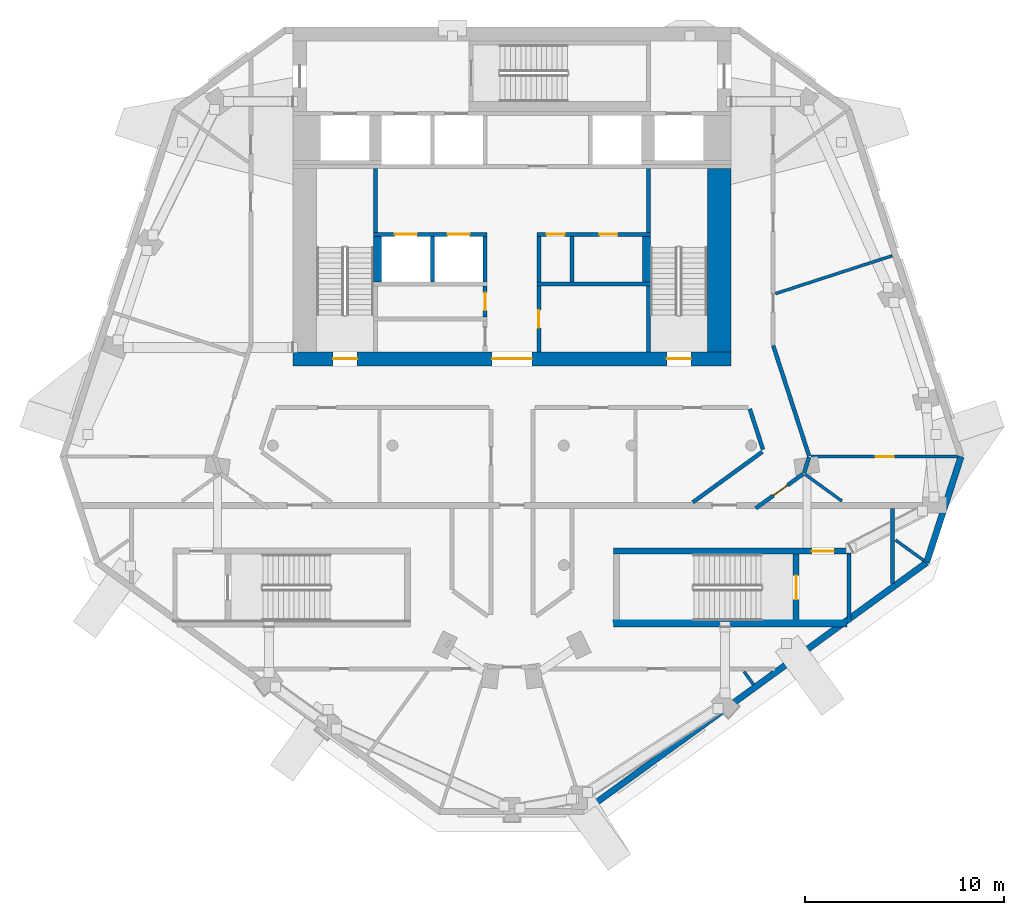
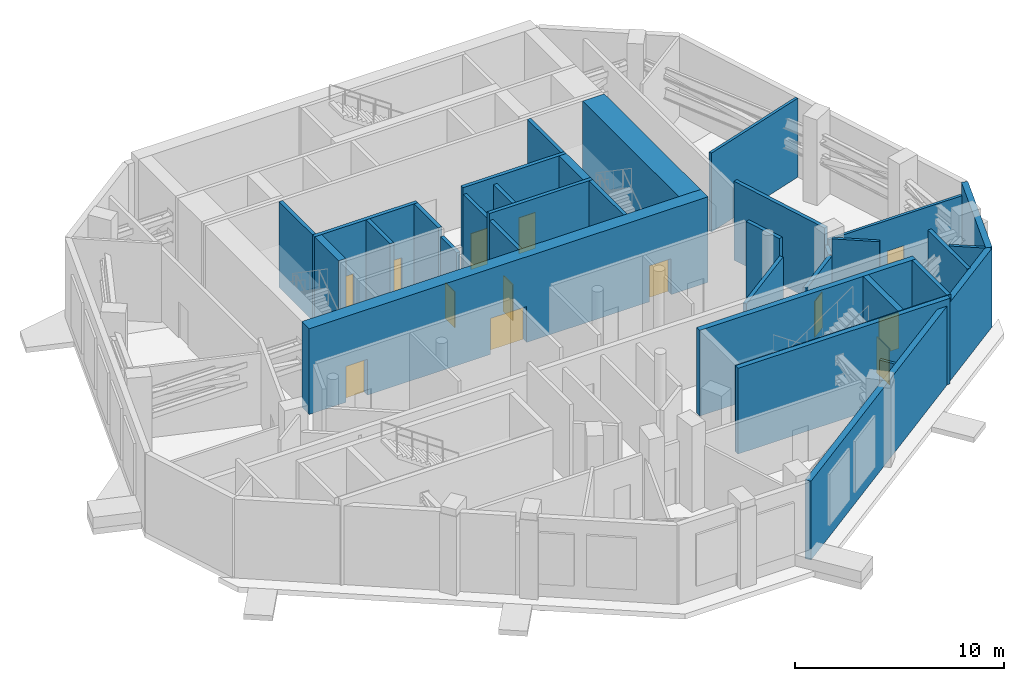
# One storey, part 8 of 15: 34 walls, 13 doors, 13 openings.
"""IFC4 building model written with IfcOpenShell, lengths in metres."""

from ifc_helpers import new_model, si_unit, direction, frame, frame_2d, origin, place, context, subcontext, project, spatial, rectangle, extrude, material, layer, layer_set, type_object, element, fill, save


model = new_model("IFC4")

# Units and contexts
model_context = context("Model", 3, precision=1e-05, world=origin(), true_north=direction((0.0, 1.0)))
body_context = subcontext(model_context, "Body", "Model", "MODEL_VIEW")
ifc_project = project(units=[si_unit("LENGTHUNIT", "METRE"), si_unit("AREAUNIT", "SQUARE_METRE"), si_unit("VOLUMEUNIT", "CUBIC_METRE"), si_unit("PLANEANGLEUNIT", "RADIAN"), si_unit("MASSUNIT", "GRAM", prefix="KILO")], contexts=[model_context])

# Site, building, storey
site_placement = place(None, origin())
site = spatial("IfcSite", under=ifc_project, at=site_placement, CompositionType="ELEMENT")
building_placement = place(site_placement, origin())
building = spatial("IfcBuilding", under=site, at=building_placement, Name="White Candle Pilgrim Tower", CompositionType="ELEMENT")
storey_placement = place(building_placement, frame((0.0, 0.0, 295.10009765625)))
storey = spatial("IfcBuildingStorey", under=building, at=storey_placement, Name="L70", CompositionType="ELEMENT", Elevation=295.10009765625)

# Walls
ifc_material_1 = material(Name="Concrete C50/60", Category="concrete")
ifc_layer_1 = layer(ifc_material_1, 0.199951171875)
ifc_layer_set_1 = layer_set([ifc_layer_1], Name="Core wall 200 mm Concrete C50/60")
wall_type_1 = type_object("IfcWallType", Name="Core wall 200 mm Concrete C50/60", PredefinedType="SHEAR", material=ifc_layer_set_1)
wall_1_placement = place(storey_placement, frame((86.89990234375, 58.199951171875, 0.0), z_axis=(0.0, 0.0, 1.0), x_axis=(0.0, 1.0, 0.0)))
element("IfcWall", 1, at=wall_1_placement, inside=storey, type_object=wall_type_1, Name="WL-L70-C10", PredefinedType="SHEAR", context=body_context, shape_type="SweptSolid", body=[
    extrude(rectangle(XDim=3.35009765625, YDim=0.199951171875, at=frame_2d((1.675048828125, 0.0))), origin(), (0.0, 0.0, 1.0), 5.0),
])
ifc_layer_2 = layer(ifc_material_1, 0.2666015625)
ifc_layer_set_2 = layer_set([ifc_layer_2], Name="Core wall 267 mm Concrete C50/60")
wall_type_2 = type_object("IfcWallType", Name="Core wall 267 mm Concrete C50/60", PredefinedType="SHEAR", material=ifc_layer_set_2)
wall_2_placement = place(storey_placement, frame((75.10009765625, 58.033203125, 0.0), z_axis=(0.0, 0.0, 1.0), x_axis=(1.0, 0.0, 0.0)))
element("IfcWall", 2, at=wall_2_placement, inside=storey, type_object=wall_type_2, Name="WL-L70-C02", PredefinedType="SHEAR", context=body_context, shape_type="SweptSolid", body=[
    extrude(rectangle(XDim=11.699951171875, YDim=0.2666015625, at=frame_2d((5.85009765625, 0.0))), origin(), (0.0, 0.0, 1.0), 5.0),
])
ifc_material_2 = material(Name="Gypsum board on steel studs", Category="steel")
ifc_layer_3 = layer(ifc_material_2, 0.199951171875)
ifc_layer_set_3 = layer_set([ifc_layer_3], Name="Corridor wall 200 mm EI 45")
wall_type_3 = type_object("IfcWallType", Name="Corridor wall 200 mm EI 45", PredefinedType="PARTITIONING", material=ifc_layer_set_3)
wall_3_placement = place(storey_placement, frame((83.10498046875, 72.0185546875, 0.0), z_axis=(0.0, 0.0, 1.0), x_axis=(0.30901978602, -0.95105560923, 0.0)))
element("IfcWall", 3, at=wall_3_placement, inside=storey, type_object=wall_type_3, Name="WL-L70-P008", PredefinedType="PARTITIONING", context=body_context, shape_type="SweptSolid", body=[
    extrude(rectangle(XDim=5.829833984375, YDim=0.199951171875, at=frame_2d((2.9150390625, 0.0))), origin(), (0.0, 0.0, 1.0), 4.599853515625),
])
wall_4_placement = place(storey_placement, frame((84.906494140625, 66.412353515625, 0.0), z_axis=(0.0, 0.0, 1.0), x_axis=(-0.309260889552, -0.950977235371, 0.0)))
element("IfcWall", 4, at=wall_4_placement, inside=storey, type_object=wall_type_3, Name="WL-L70-P009", PredefinedType="PARTITIONING", context=body_context, shape_type="SweptSolid", body=[
    extrude(rectangle(XDim=0.821044921875, YDim=0.199951171875, at=frame_2d((0.41064453125, 0.0))), origin(), (0.0, 0.0, 1.0), 3.599853515625),
])

# Wall, opening, door
wall_5_placement = place(storey_placement, frame((84.616455078125, 65.58154296875, 0.0), z_axis=(0.0, 0.0, 1.0), x_axis=(-0.809065647846, -0.587718280705, 0.0)))
wall_5 = element("IfcWall", 5, at=wall_5_placement, inside=storey, type_object=wall_type_3, Name="WL-L70-P010", PredefinedType="PARTITIONING", context=body_context, shape_type="SweptSolid", body=[
    extrude(rectangle(XDim=2.946044921875, YDim=0.199951171875, at=frame_2d((1.47314453125, 0.0))), origin(), (0.0, 0.0, 1.0), 3.599853515625),
])
opening_1_placement = place(wall_5_placement, frame((0.9658203125, 0.0, 0.0)))
opening_1 = element("IfcOpeningElement", 6, at=opening_1_placement, cuts=wall_5, Name="Opening L70-117", PredefinedType="OPENING", context=body_context, shape_type="SweptSolid", body=[
    extrude(rectangle(XDim=0.89990234375, YDim=2.10009765625, at=frame_2d((0.449951171875, 1.050048828125))), frame((0.0, 0.10986328125, 0.0), z_axis=(0.0, -1.0, 0.0), x_axis=(1.0, 0.0, 0.0)), (0.0, 0.0, 1.0), 0.219970703125),
])
ifc_material_3 = material(Name="Steel door leaf", Category="steel")
door_type_1 = type_object("IfcDoorType", Name="Fire door 900 x 2100 EI 30", OperationType="NOTDEFINED", PredefinedType="DOOR", material=ifc_material_3)
door_1_placement = place(opening_1_placement, origin())
door_1 = element("IfcDoor", 7, at=door_1_placement, inside=storey, type_object=door_type_1, Name="Door L70-117", OperationType="SINGLE_SWING_LEFT", OverallHeight=2.10009765625, OverallWidth=0.89990234375, PredefinedType="DOOR", context=body_context, shape_type="SweptSolid", body=[
    extrude(rectangle(XDim=0.89990234375, YDim=2.10009765625, at=frame_2d((0.449951171875, 1.050048828125))), frame((0.0, 0.02490234375, 0.0), z_axis=(0.0, -1.0, 0.0), x_axis=(1.0, 0.0, 0.0)), (0.0, 0.0, 1.0), 0.050048828125),
])
fill(opening_1, door_1)

# Walls
wall_6_placement = place(storey_placement, frame((89.10009765625, 63.85009765625, 0.0), z_axis=(0.0, 0.0, 1.0), x_axis=(0.0, -1.0, 0.0)))
element("IfcWall", 8, at=wall_6_placement, inside=storey, type_object=wall_type_3, Name="WL-L70-P011", PredefinedType="PARTITIONING", context=body_context, shape_type="SweptSolid", body=[
    extrude(rectangle(XDim=3.76220703125, YDim=0.199951171875, at=frame_2d((1.881103515625, 0.0))), origin(), (0.0, 0.0, 1.0), 4.599853515625),
])
wall_7_placement = place(storey_placement, frame((82.594482421875, 66.793701171875, 0.0), z_axis=(0.0, 0.0, 1.0), x_axis=(-0.309003597347, 0.951060869149, 0.0)))
element("IfcWall", 9, at=wall_7_placement, inside=storey, type_object=wall_type_3, Name="WL-L70-P015", PredefinedType="PARTITIONING", context=body_context, shape_type="SweptSolid", body=[
    extrude(rectangle(XDim=2.141845703125, YDim=0.199951171875, at=frame_2d((1.07080078125, 0.0))), origin(), (0.0, 0.0, 1.0), 4.599853515625),
])
wall_8_placement = place(storey_placement, frame((79.072998046875, 64.14990234375, 0.0), z_axis=(0.0, 0.0, 1.0), x_axis=(0.809027628487, 0.587770615414, 0.0)))
element("IfcWall", 10, at=wall_8_placement, inside=storey, type_object=wall_type_3, Name="WL-L70-P021", PredefinedType="PARTITIONING", context=body_context, shape_type="SweptSolid", body=[
    extrude(rectangle(XDim=4.307861328125, YDim=0.199951171875, at=frame_2d((2.15380859375, 0.0))), origin(), (0.0, 0.0, 1.0), 3.599853515625),
])
ifc_material_4 = material(Name="Precast concrete C40/50", Category="concrete")
ifc_layer_4 = layer(ifc_material_4, 0.320068359375)
ifc_layer_set_4 = layer_set([ifc_layer_4], Name="Facade wall EW2 precast concrete C40/50 plant wall behind louvres")
wall_type_4 = type_object("IfcWallType", Name="Facade wall EW2 precast concrete C40/50 plant wall behind louvres", PredefinedType="SOLIDWALL", material=ifc_layer_set_4)
wall_9_placement = place(storey_placement, frame((73.610595703125, 48.63623046875, 0.0), z_axis=(0.0, 0.0, 1.0), x_axis=(0.809011743964, 0.587792478796, 0.0)))
element("IfcWall", 11, at=wall_9_placement, inside=storey, type_object=wall_type_4, Name="Facade wall L70 SE", PredefinedType="SOLIDWALL", context=body_context, shape_type="SweptSolid", body=[
    extrude(rectangle(XDim=21.2490234375, YDim=0.320068359375, at=frame_2d((10.62451171875, 0.0))), origin(), (0.0, 0.0, 1.0), 4.599853515625),
])
wall_10_placement = place(storey_placement, frame((90.80126953125, 61.126220703125, 0.0), z_axis=(0.0, 0.0, 1.0), x_axis=(0.309039663735, 0.951049150275, 0.0)))
element("IfcWall", 12, at=wall_10_placement, inside=storey, type_object=wall_type_4, Name="Facade wall L70 E chamfer", PredefinedType="SOLIDWALL", context=body_context, shape_type="SweptSolid", body=[
    extrude(rectangle(XDim=5.5908203125, YDim=0.320068359375, at=frame_2d((2.79541015625, 0.0))), origin(), (0.0, 0.0, 1.0), 4.599853515625),
])

# Wall, opening, door
ifc_layer_5 = layer(ifc_material_2, 0.199951171875)
ifc_layer_set_5 = layer_set([ifc_layer_5], Name="Lobby wall 200 mm EI 60")
wall_type_5 = type_object("IfcWallType", Name="Lobby wall 200 mm EI 60", PredefinedType="PARTITIONING", material=ifc_layer_set_5)
wall_11_placement = place(storey_placement, frame((71.35009765625, 71.699951171875, 0.0), z_axis=(0.0, 0.0, 1.0), x_axis=(0.0, 1.0, 0.0)))
wall_11 = element("IfcWall", 13, at=wall_11_placement, inside=storey, type_object=wall_type_5, Name="WL-L70-C17", PredefinedType="PARTITIONING", context=body_context, shape_type="SweptSolid", body=[
    extrude(rectangle(XDim=3.300048828125, YDim=0.199951171875, at=frame_2d((1.64990234375, 0.0))), origin(), (0.0, 0.0, 1.0), 4.599853515625),
])
opening_2_placement = place(wall_11_placement, frame((1.199951171875, 0.0, 0.0)))
opening_2 = element("IfcOpeningElement", 14, at=opening_2_placement, cuts=wall_11, Name="Opening L70-007", PredefinedType="OPENING", context=body_context, shape_type="SweptSolid", body=[
    extrude(rectangle(XDim=0.89990234375, YDim=2.10009765625, at=frame_2d((0.449951171875, 1.050048828125))), frame((0.0, 0.10986328125, 0.0), z_axis=(0.0, -1.0, 0.0), x_axis=(1.0, 0.0, 0.0)), (0.0, 0.0, 1.0), 0.219970703125),
])
door_2_placement = place(opening_2_placement, origin())
door_2 = element("IfcDoor", 15, at=door_2_placement, inside=storey, type_object=door_type_1, Name="Door L70-007", OperationType="SINGLE_SWING_LEFT", OverallHeight=2.10009765625, OverallWidth=0.89990234375, PredefinedType="DOOR", context=body_context, shape_type="SweptSolid", body=[
    extrude(rectangle(XDim=0.89990234375, YDim=2.10009765625, at=frame_2d((0.449951171875, 1.050048828125))), frame((0.0, 0.02490234375, 0.0), z_axis=(0.0, -1.0, 0.0), x_axis=(1.0, 0.0, 0.0)), (0.0, 0.0, 1.0), 0.050048828125),
])
fill(opening_2, door_2)

wall_12_placement = place(storey_placement, frame((68.64990234375, 73.449951171875, 0.0), z_axis=(0.0, 0.0, 1.0), x_axis=(0.0, 1.0, 0.0)))
wall_12 = element("IfcWall", 16, at=wall_12_placement, inside=storey, type_object=wall_type_5, Name="WL-L70-C22", PredefinedType="PARTITIONING", context=body_context, shape_type="SweptSolid", body=[
    extrude(rectangle(XDim=1.550048828125, YDim=0.199951171875, at=frame_2d((0.77490234375, 0.0))), origin(), (0.0, 0.0, 1.0), 4.599853515625),
])
opening_3_placement = place(wall_12_placement, frame((0.324951171875, 0.0, 0.0)))
opening_3 = element("IfcOpeningElement", 17, at=opening_3_placement, cuts=wall_12, Name="Opening L70-006", PredefinedType="OPENING", context=body_context, shape_type="SweptSolid", body=[
    extrude(rectangle(XDim=0.89990234375, YDim=2.10009765625, at=frame_2d((0.449951171875, 1.050048828125))), frame((0.0, 0.10986328125, 0.0), z_axis=(0.0, -1.0, 0.0), x_axis=(1.0, 0.0, 0.0)), (0.0, 0.0, 1.0), 0.219970703125),
])
door_3_placement = place(opening_3_placement, origin())
door_3 = element("IfcDoor", 18, at=door_3_placement, inside=storey, type_object=door_type_1, Name="Door L70-006", OperationType="SINGLE_SWING_RIGHT", OverallHeight=2.10009765625, OverallWidth=0.89990234375, PredefinedType="DOOR", context=body_context, shape_type="SweptSolid", body=[
    extrude(rectangle(XDim=0.89990234375, YDim=2.10009765625, at=frame_2d((0.449951171875, 1.050048828125))), frame((0.0, 0.02490234375, 0.0), z_axis=(0.0, -1.0, 0.0), x_axis=(1.0, 0.0, 0.0)), (0.0, 0.0, 1.0), 0.050048828125),
])
fill(opening_3, door_3)

# Walls
for number, where, z_axis, x_axis, name in (
    (19, (71.35009765625, 75.199951171875, 0.0), (0.0, 0.0, 1.0), (0.0, 1.0, 0.0), "WL-L70-C28"),
    (20, (73.02001953125, 75.199951171875, 0.0), (0.0, 0.0, 1.0), (0.0, 1.0, 0.0), "WL-L70-C29"),
):
    element("IfcWall", number, at=place(storey_placement, frame(where, z_axis=z_axis, x_axis=x_axis)), inside=storey, type_object=wall_type_5, Name=name, PredefinedType="PARTITIONING", context=body_context, shape_type="SweptSolid", body=[
        extrude(rectangle(XDim=2.300048828125, YDim=0.199951171875, at=frame_2d((1.14990234375, 0.0))), origin(), (0.0, 0.0, 1.0), 4.599853515625),
    ])
ifc_layer_6 = layer(ifc_material_2, 0.14990234375)
ifc_layer_set_6 = layer_set([ifc_layer_6], Name="Partition 150 mm EI 60")
wall_type_6 = type_object("IfcWallType", Name="Partition 150 mm EI 60", PredefinedType="PARTITIONING", material=ifc_layer_set_6)
wall_13_placement = place(storey_placement, frame((90.665283203125, 61.22509765625, 0.0), z_axis=(0.0, 0.0, 1.0), x_axis=(-0.809030480435, 0.587766689875, 0.0)))
element("IfcWall", 21, at=wall_13_placement, inside=storey, type_object=wall_type_6, Name="WL-L70-P035", PredefinedType="PARTITIONING", context=body_context, shape_type="SweptSolid", body=[
    extrude(rectangle(XDim=1.756591796875, YDim=0.14990234375, at=frame_2d((0.87841796875, 0.0))), origin(), (0.0, 0.0, 1.0), 4.599853515625),
])
wall_14_placement = place(storey_placement, frame((86.555908203125, 64.210693359375, 0.0), z_axis=(0.0, 0.0, 1.0), x_axis=(-0.809018460862, 0.587783233841, 0.0)))
element("IfcWall", 22, at=wall_14_placement, inside=storey, type_object=wall_type_6, Name="WL-L70-P036", PredefinedType="PARTITIONING", context=body_context, shape_type="SweptSolid", body=[
    extrude(rectangle(XDim=2.27978515625, YDim=0.14990234375, at=frame_2d((1.139892578125, 0.0))), origin(), (0.0, 0.0, 1.0), 4.599853515625),
])

# Wall, opening, door
wall_15_placement = place(storey_placement, frame((92.36083984375, 66.443359375, 0.0), z_axis=(0.0, 0.0, 1.0), x_axis=(-1.0, 0.0, 0.0)))
wall_15 = element("IfcWall", 23, at=wall_15_placement, inside=storey, type_object=wall_type_6, Name="WL-L70-P037", PredefinedType="PARTITIONING", context=body_context, shape_type="SweptSolid", body=[
    extrude(rectangle(XDim=7.359375, YDim=0.14990234375, at=frame_2d((3.6796875, 0.0))), origin(), (0.0, 0.0, 1.0), 3.89990234375),
])
opening_4_placement = place(wall_15_placement, frame((3.218017578125, 0.0, 0.0)))
opening_4 = element("IfcOpeningElement", 24, at=opening_4_placement, cuts=wall_15, Name="Opening L70-116", PredefinedType="OPENING", context=body_context, shape_type="SweptSolid", body=[
    extrude(rectangle(XDim=0.89990234375, YDim=2.10009765625, at=frame_2d((0.449951171875, 1.050048828125))), frame((0.0, 0.0849609375, 0.0), z_axis=(0.0, -1.0, 0.0), x_axis=(1.0, 0.0, 0.0)), (0.0, 0.0, 1.0), 0.169921875),
])
door_4_placement = place(opening_4_placement, origin())
door_4 = element("IfcDoor", 25, at=door_4_placement, inside=storey, type_object=door_type_1, Name="Door L70-116", OperationType="SINGLE_SWING_RIGHT", OverallHeight=2.10009765625, OverallWidth=0.89990234375, PredefinedType="DOOR", context=body_context, shape_type="SweptSolid", body=[
    extrude(rectangle(XDim=0.89990234375, YDim=2.10009765625, at=frame_2d((0.449951171875, 1.050048828125))), frame((0.0, 0.02490234375, 0.0), z_axis=(0.0, -1.0, 0.0), x_axis=(1.0, 0.0, 0.0)), (0.0, 0.0, 1.0), 0.050048828125),
])
fill(opening_4, door_4)

# Walls
wall_16_placement = place(storey_placement, frame((82.11181640625, 55.0107421875, 0.0), z_axis=(0.0, 0.0, 1.0), x_axis=(-0.58773478197, 0.809053660805, 0.0)))
element("IfcWall", 26, at=wall_16_placement, inside=storey, type_object=wall_type_6, Name="WL-L70-P043", PredefinedType="PARTITIONING", context=body_context, shape_type="SweptSolid", body=[
    extrude(rectangle(XDim=0.797607421875, YDim=0.14990234375, at=frame_2d((0.39892578125, 0.0))), origin(), (0.0, 0.0, 1.0), 4.599853515625),
])
wall_17_placement = place(storey_placement, frame((89.0849609375, 76.525390625, 0.0), z_axis=(0.0, 0.0, 1.0), x_axis=(-0.951060263663, -0.309005460926, 0.0)))
element("IfcWall", 27, at=wall_17_placement, inside=storey, type_object=wall_type_6, Name="WL-L70-P044", PredefinedType="PARTITIONING", context=body_context, shape_type="SweptSolid", body=[
    extrude(rectangle(XDim=6.16357421875, YDim=0.14990234375, at=frame_2d((3.081787109375, 0.0))), origin(), (0.0, 0.0, 1.0), 4.599853515625),
])
ifc_layer_7 = layer(ifc_material_1, 0.199951171875)
ifc_layer_set_7 = layer_set([ifc_layer_7], Name="Shaft wall 200 mm Concrete C50/60")
wall_type_7 = type_object("IfcWallType", Name="Shaft wall 200 mm Concrete C50/60", PredefinedType="SHEAR", material=ifc_layer_set_7)
for number, where, z_axis, x_axis, name in (
    (28, (66.0, 75.199951171875, 0.0), (0.0, 0.0, 1.0), (0.0, 1.0, 0.0), "WL-L70-C26"),
    (29, (68.64990234375, 75.199951171875, 0.0), (0.0, 0.0, 1.0), (0.0, 1.0, 0.0), "WL-L70-C27"),
):
    element("IfcWall", number, at=place(storey_placement, frame(where, z_axis=z_axis, x_axis=x_axis)), inside=storey, type_object=wall_type_7, Name=name, PredefinedType="SHEAR", context=body_context, shape_type="SweptSolid", body=[
        extrude(rectangle(XDim=2.300048828125, YDim=0.199951171875, at=frame_2d((1.14990234375, 0.0))), origin(), (0.0, 0.0, 1.0), 5.0),
    ])
ifc_layer_8 = layer(ifc_material_1, 1.199951171875)
ifc_layer_set_8 = layer_set([ifc_layer_8], Name="Stair shaft wall 1200 mm Concrete C50/60")
wall_type_8 = type_object("IfcWallType", Name="Stair shaft wall 1200 mm Concrete C50/60", PredefinedType="SHEAR", material=ifc_layer_set_8)
wall_18_placement = place(storey_placement, frame((80.39990234375, 71.699951171875, 0.0), z_axis=(0.0, 0.0, 1.0), x_axis=(0.0, 1.0, 0.0)))
element("IfcWall", 30, at=wall_18_placement, inside=storey, type_object=wall_type_8, Name="WL-L70-C19", PredefinedType="SHEAR", context=body_context, shape_type="SweptSolid", body=[
    extrude(rectangle(XDim=9.199951171875, YDim=1.199951171875, at=frame_2d((4.60009765625, 0.0))), origin(), (0.0, 0.0, 1.0), 5.0),
])
ifc_layer_9 = layer(ifc_material_1, 0.199951171875)
ifc_layer_set_9 = layer_set([ifc_layer_9], Name="Stair shaft wall 200 mm Concrete C50/60")
wall_type_9 = type_object("IfcWallType", Name="Stair shaft wall 200 mm Concrete C50/60", PredefinedType="SHEAR", material=ifc_layer_set_9)
wall_19_placement = place(storey_placement, frame((76.85009765625, 71.699951171875, 0.0), z_axis=(0.0, 0.0, 1.0), x_axis=(0.0, 1.0, 0.0)))
element("IfcWall", 31, at=wall_19_placement, inside=storey, type_object=wall_type_9, Name="WL-L70-C18", PredefinedType="SHEAR", context=body_context, shape_type="SweptSolid", body=[
    extrude(rectangle(XDim=3.300048828125, YDim=0.199951171875, at=frame_2d((1.64990234375, 0.0))), origin(), (0.0, 0.0, 1.0), 5.0),
])
wall_20_placement = place(storey_placement, frame((71.25, 75.10009765625, 0.0), z_axis=(0.0, 0.0, 1.0), x_axis=(1.0, 0.0, 0.0)))
element("IfcWall", 32, at=wall_20_placement, inside=storey, type_object=wall_type_9, Name="WL-L70-C24", PredefinedType="SHEAR", context=body_context, shape_type="SweptSolid", body=[
    extrude(rectangle(XDim=5.699951171875, YDim=0.199951171875, at=frame_2d((2.85009765625, 0.0))), origin(), (0.0, 0.0, 1.0), 5.0),
])

# Wall, openings, doors
wall_21_placement = place(storey_placement, frame((63.050048828125, 77.60009765625, 0.0), z_axis=(0.0, 0.0, 1.0), x_axis=(1.0, 0.0, 0.0)))
wall_21 = element("IfcWall", 33, at=wall_21_placement, inside=storey, type_object=wall_type_9, Name="WL-L70-C31", PredefinedType="SHEAR", context=body_context, shape_type="SweptSolid", body=[
    extrude(rectangle(XDim=5.699951171875, YDim=0.199951171875, at=frame_2d((2.85009765625, 0.0))), origin(), (0.0, 0.0, 1.0), 5.0),
])
opening_5_placement = place(wall_21_placement, frame((1.074951171875, 0.0, 0.0)))
opening_5 = element("IfcOpeningElement", 34, at=opening_5_placement, cuts=wall_21, Name="Opening L70-014", PredefinedType="OPENING", context=body_context, shape_type="SweptSolid", body=[
    extrude(rectangle(XDim=1.10009765625, YDim=2.10009765625, at=frame_2d((0.550048828125, 1.050048828125))), frame((0.0, 0.10986328125, 0.0), z_axis=(0.0, -1.0, 0.0), x_axis=(1.0, 0.0, 0.0)), (0.0, 0.0, 1.0), 0.219970703125),
])
opening_6_placement = place(wall_21_placement, frame((3.72509765625, 0.0, 0.0)))
opening_6 = element("IfcOpeningElement", 35, at=opening_6_placement, cuts=wall_21, Name="Opening L70-015", PredefinedType="OPENING", context=body_context, shape_type="SweptSolid", body=[
    extrude(rectangle(XDim=1.10009765625, YDim=2.10009765625, at=frame_2d((0.550048828125, 1.050048828125))), frame((0.0, 0.10986328125, 0.0), z_axis=(0.0, -1.0, 0.0), x_axis=(1.0, 0.0, 0.0)), (0.0, 0.0, 1.0), 0.219970703125),
])
ifc_material_5 = material(Name="Stainless steel", Category="steel")
door_type_2 = type_object("IfcDoorType", Name="Lift landing door 1100 x 2100 E 60", OperationType="DOUBLE_DOOR_SLIDING", PredefinedType="DOOR", material=ifc_material_5)
door_5_placement = place(opening_5_placement, origin())
door_5 = element("IfcDoor", 36, at=door_5_placement, inside=storey, type_object=door_type_2, Name="Door L70-014", OperationType="DOUBLE_DOOR_SLIDING", OverallHeight=2.10009765625, OverallWidth=1.10009765625, PredefinedType="DOOR", context=body_context, shape_type="SweptSolid", body=[
    extrude(rectangle(XDim=1.10009765625, YDim=2.10009765625, at=frame_2d((0.550048828125, 1.050048828125))), frame((0.0, 0.02490234375, 0.0), z_axis=(0.0, -1.0, 0.0), x_axis=(1.0, 0.0, 0.0)), (0.0, 0.0, 1.0), 0.050048828125),
])
fill(opening_5, door_5)
door_6_placement = place(opening_6_placement, origin())
door_6 = element("IfcDoor", 37, at=door_6_placement, inside=storey, type_object=door_type_2, Name="Door L70-015", OperationType="DOUBLE_DOOR_SLIDING", OverallHeight=2.10009765625, OverallWidth=1.10009765625, PredefinedType="DOOR", context=body_context, shape_type="SweptSolid", body=[
    extrude(rectangle(XDim=1.10009765625, YDim=2.10009765625, at=frame_2d((0.550048828125, 1.050048828125))), frame((0.0, 0.02490234375, 0.0), z_axis=(0.0, -1.0, 0.0), x_axis=(1.0, 0.0, 0.0)), (0.0, 0.0, 1.0), 0.050048828125),
])
fill(opening_6, door_6)

wall_22_placement = place(storey_placement, frame((71.25, 77.60009765625, 0.0), z_axis=(0.0, 0.0, 1.0), x_axis=(1.0, 0.0, 0.0)))
wall_22 = element("IfcWall", 38, at=wall_22_placement, inside=storey, type_object=wall_type_9, Name="WL-L70-C32", PredefinedType="SHEAR", context=body_context, shape_type="SweptSolid", body=[
    extrude(rectangle(XDim=5.699951171875, YDim=0.199951171875, at=frame_2d((2.85009765625, 0.0))), origin(), (0.0, 0.0, 1.0), 5.0),
])
opening_7_placement = place(wall_22_placement, frame((0.485107421875, 0.0, 0.0)))
opening_7 = element("IfcOpeningElement", 39, at=opening_7_placement, cuts=wall_22, Name="Opening L70-020", PredefinedType="OPENING", context=body_context, shape_type="SweptSolid", body=[
    extrude(rectangle(XDim=0.89990234375, YDim=2.10009765625, at=frame_2d((0.449951171875, 1.050048828125))), frame((0.0, 0.10986328125, 0.0), z_axis=(0.0, -1.0, 0.0), x_axis=(1.0, 0.0, 0.0)), (0.0, 0.0, 1.0), 0.219970703125),
])
opening_8_placement = place(wall_22_placement, frame((3.135009765625, 0.0, 0.0)))
opening_8 = element("IfcOpeningElement", 40, at=opening_8_placement, cuts=wall_22, Name="Opening L70-021", PredefinedType="OPENING", context=body_context, shape_type="SweptSolid", body=[
    extrude(rectangle(XDim=0.89990234375, YDim=2.10009765625, at=frame_2d((0.449951171875, 1.050048828125))), frame((0.0, 0.10986328125, 0.0), z_axis=(0.0, -1.0, 0.0), x_axis=(1.0, 0.0, 0.0)), (0.0, 0.0, 1.0), 0.219970703125),
])
door_7_placement = place(opening_7_placement, origin())
door_7 = element("IfcDoor", 41, at=door_7_placement, inside=storey, type_object=door_type_1, Name="Door L70-020", OperationType="SINGLE_SWING_RIGHT", OverallHeight=2.10009765625, OverallWidth=0.89990234375, PredefinedType="DOOR", context=body_context, shape_type="SweptSolid", body=[
    extrude(rectangle(XDim=0.89990234375, YDim=2.10009765625, at=frame_2d((0.449951171875, 1.050048828125))), frame((0.0, 0.02490234375, 0.0), z_axis=(0.0, -1.0, 0.0), x_axis=(1.0, 0.0, 0.0)), (0.0, 0.0, 1.0), 0.050048828125),
])
fill(opening_7, door_7)
door_8_placement = place(opening_8_placement, origin())
door_8 = element("IfcDoor", 42, at=door_8_placement, inside=storey, type_object=door_type_1, Name="Door L70-021", OperationType="SINGLE_SWING_LEFT", OverallHeight=2.10009765625, OverallWidth=0.89990234375, PredefinedType="DOOR", context=body_context, shape_type="SweptSolid", body=[
    extrude(rectangle(XDim=0.89990234375, YDim=2.10009765625, at=frame_2d((0.449951171875, 1.050048828125))), frame((0.0, 0.02490234375, 0.0), z_axis=(0.0, -1.0, 0.0), x_axis=(1.0, 0.0, 0.0)), (0.0, 0.0, 1.0), 0.050048828125),
])
fill(opening_8, door_8)

# Walls
for number, where, z_axis, x_axis, name in (
    (43, (63.14990234375, 77.699951171875, 0.0), (0.0, 0.0, 1.0), (0.0, 1.0, 0.0), "WL-L70-C33"),
    (44, (76.85009765625, 77.699951171875, 0.0), (0.0, 0.0, 1.0), (0.0, 1.0, 0.0), "WL-L70-C34"),
):
    element("IfcWall", number, at=place(storey_placement, frame(where, z_axis=z_axis, x_axis=x_axis)), inside=storey, type_object=wall_type_9, Name=name, PredefinedType="SHEAR", context=body_context, shape_type="SweptSolid", body=[
        extrude(rectangle(XDim=3.199951171875, YDim=0.199951171875, at=frame_2d((1.60009765625, 0.0))), origin(), (0.0, 0.0, 1.0), 5.0),
    ])

# Wall, opening, door
ifc_layer_10 = layer(ifc_material_1, 0.300048828125)
ifc_layer_set_10 = layer_set([ifc_layer_10], Name="Stair shaft wall 300 mm Concrete C50/60")
wall_type_10 = type_object("IfcWallType", Name="Stair shaft wall 300 mm Concrete C50/60", PredefinedType="SHEAR", material=ifc_layer_set_10)
wall_23_placement = place(storey_placement, frame((84.25, 58.199951171875, 0.0), z_axis=(0.0, 0.0, 1.0), x_axis=(0.0, 1.0, 0.0)))
wall_23 = element("IfcWall", 45, at=wall_23_placement, inside=storey, type_object=wall_type_10, Name="WL-L70-C09", PredefinedType="SHEAR", context=body_context, shape_type="SweptSolid", body=[
    extrude(rectangle(XDim=3.35009765625, YDim=0.300048828125, at=frame_2d((1.675048828125, 0.0))), origin(), (0.0, 0.0, 1.0), 5.0),
])
opening_9_placement = place(wall_23_placement, frame((1.074951171875, 0.0, 0.0)))
opening_9 = element("IfcOpeningElement", 46, at=opening_9_placement, cuts=wall_23, Name="Opening L70-013", PredefinedType="OPENING", context=body_context, shape_type="SweptSolid", body=[
    extrude(rectangle(XDim=1.199951171875, YDim=2.10009765625, at=frame_2d((0.60009765625, 1.050048828125))), frame((0.0, 0.159912109375, 0.0), z_axis=(0.0, -1.0, 0.0), x_axis=(1.0, 0.0, 0.0)), (0.0, 0.0, 1.0), 0.320068359375),
])
door_type_3 = type_object("IfcDoorType", Name="Fire door 1200 x 2100 EI 60", OperationType="NOTDEFINED", PredefinedType="DOOR", material=ifc_material_3)
door_9_placement = place(opening_9_placement, origin())
door_9 = element("IfcDoor", 47, at=door_9_placement, inside=storey, type_object=door_type_3, Name="Door L70-013", OperationType="SINGLE_SWING_LEFT", OverallHeight=2.10009765625, OverallWidth=1.199951171875, PredefinedType="DOOR", context=body_context, shape_type="SweptSolid", body=[
    extrude(rectangle(XDim=1.199951171875, YDim=2.10009765625, at=frame_2d((0.60009765625, 1.050048828125))), frame((0.0, 0.02490234375, 0.0), z_axis=(0.0, -1.0, 0.0), x_axis=(1.0, 0.0, 0.0)), (0.0, 0.0, 1.0), 0.050048828125),
])
fill(opening_9, door_9)

wall_24_placement = place(storey_placement, frame((75.10009765625, 61.699951171875, 0.0), z_axis=(0.0, 0.0, 1.0), x_axis=(1.0, 0.0, 0.0)))
wall_24 = element("IfcWall", 48, at=wall_24_placement, inside=storey, type_object=wall_type_10, Name="WL-L70-C12", PredefinedType="SHEAR", context=body_context, shape_type="SweptSolid", body=[
    extrude(rectangle(XDim=11.89990234375, YDim=0.300048828125, at=frame_2d((5.949951171875, 0.0))), origin(), (0.0, 0.0, 1.0), 5.0),
])
opening_10_placement = place(wall_24_placement, frame((9.949951171875, 0.0, 0.0)))
opening_10 = element("IfcOpeningElement", 49, at=opening_10_placement, cuts=wall_24, Name="Opening L70-012", PredefinedType="OPENING", context=body_context, shape_type="SweptSolid", body=[
    extrude(rectangle(XDim=1.10009765625, YDim=2.10009765625, at=frame_2d((0.550048828125, 1.050048828125))), frame((0.0, 0.159912109375, 0.0), z_axis=(0.0, -1.0, 0.0), x_axis=(1.0, 0.0, 0.0)), (0.0, 0.0, 1.0), 0.320068359375),
])
door_type_4 = type_object("IfcDoorType", Name="Fire door 1100 x 2100 EI 60", OperationType="NOTDEFINED", PredefinedType="DOOR", material=ifc_material_3)
door_10_placement = place(opening_10_placement, frame((1.10009765625, 0.0, 0.0), z_axis=(0.0, 0.0, 1.0), x_axis=(-1.0, 0.0, 0.0)))
door_10 = element("IfcDoor", 50, at=door_10_placement, inside=storey, type_object=door_type_4, Name="Door L70-012", OperationType="SINGLE_SWING_LEFT", OverallHeight=2.10009765625, OverallWidth=1.10009765625, PredefinedType="DOOR", context=body_context, shape_type="SweptSolid", body=[
    extrude(rectangle(XDim=1.10009765625, YDim=2.10009765625, at=frame_2d((0.550048828125, 1.050048828125))), frame((0.0, 0.02490234375, 0.0), z_axis=(0.0, -1.0, 0.0), x_axis=(1.0, 0.0, 0.0)), (0.0, 0.0, 1.0), 0.050048828125),
])
fill(opening_10, door_10)

# Walls
ifc_layer_11 = layer(ifc_material_1, 0.033447265625)
ifc_layer_set_11 = layer_set([ifc_layer_11], Name="Stair shaft wall 33 mm Concrete C50/60")
wall_type_11 = type_object("IfcWallType", Name="Stair shaft wall 33 mm Concrete C50/60", PredefinedType="SHEAR", material=ifc_layer_set_11)
wall_25_placement = place(storey_placement, frame((75.10009765625, 58.183349609375, 0.0), z_axis=(0.0, 0.0, 1.0), x_axis=(1.0, 0.0, 0.0)))
element("IfcWall", 51, at=wall_25_placement, inside=storey, type_object=wall_type_11, Name="WL-L70-C04", PredefinedType="SHEAR", context=body_context, shape_type="SweptSolid", body=[
    extrude(rectangle(XDim=11.89990234375, YDim=0.033447265625, at=frame_2d((5.949951171875, 0.0))), origin(), (0.0, 0.0, 1.0), 5.0),
])
ifc_layer_12 = layer(ifc_material_1, 0.39990234375)
ifc_layer_set_12 = layer_set([ifc_layer_12], Name="Stair shaft wall 400 mm Concrete C50/60")
wall_type_12 = type_object("IfcWallType", Name="Stair shaft wall 400 mm Concrete C50/60", PredefinedType="SHEAR", material=ifc_layer_set_12)
for number, where, z_axis, x_axis, name in (
    (52, (63.25, 75.199951171875, 0.0), (0.0, 0.0, 1.0), (0.0, 1.0, 0.0), "WL-L70-C25"),
    (53, (76.75, 75.199951171875, 0.0), (0.0, 0.0, 1.0), (0.0, 1.0, 0.0), "WL-L70-C30"),
):
    element("IfcWall", number, at=place(storey_placement, frame(where, z_axis=z_axis, x_axis=x_axis)), inside=storey, type_object=wall_type_12, Name=name, PredefinedType="SHEAR", context=body_context, shape_type="SweptSolid", body=[
        extrude(rectangle(XDim=2.300048828125, YDim=0.39990234375, at=frame_2d((1.14990234375, 0.0))), origin(), (0.0, 0.0, 1.0), 5.0),
    ])

# Wall, openings, doors
ifc_layer_13 = layer(ifc_material_1, 0.699951171875)
ifc_layer_set_13 = layer_set([ifc_layer_13], Name="Stair shaft wall 700 mm Concrete C50/60")
wall_type_13 = type_object("IfcWallType", Name="Stair shaft wall 700 mm Concrete C50/60", PredefinedType="SHEAR", material=ifc_layer_set_13)
wall_26_placement = place(storey_placement, frame((59.0, 71.35009765625, 0.0), z_axis=(0.0, 0.0, 1.0), x_axis=(1.0, 0.0, 0.0)))
wall_26 = element("IfcWall", 54, at=wall_26_placement, inside=storey, type_object=wall_type_13, Name="WL-L70-C13", PredefinedType="SHEAR", context=body_context, shape_type="SweptSolid", body=[
    extrude(rectangle(XDim=22.0, YDim=0.699951171875, at=frame_2d((11.0, 0.0))), origin(), (0.0, 0.0, 1.0), 5.0),
])
opening_11_placement = place(wall_26_placement, frame((2.02490234375, 0.0, 0.0)))
opening_11 = element("IfcOpeningElement", 55, at=opening_11_placement, cuts=wall_26, Name="Opening L70-001", PredefinedType="OPENING", context=body_context, shape_type="SweptSolid", body=[
    extrude(rectangle(XDim=1.199951171875, YDim=2.10009765625, at=frame_2d((0.60009765625, 1.050048828125))), frame((0.0, 0.35986328125, 0.0), z_axis=(0.0, -1.0, 0.0), x_axis=(1.0, 0.0, 0.0)), (0.0, 0.0, 1.0), 0.719970703125),
])
opening_12_placement = place(wall_26_placement, frame((18.77490234375, 0.0, 0.0)))
opening_12 = element("IfcOpeningElement", 56, at=opening_12_placement, cuts=wall_26, Name="Opening L70-002", PredefinedType="OPENING", context=body_context, shape_type="SweptSolid", body=[
    extrude(rectangle(XDim=1.199951171875, YDim=2.10009765625, at=frame_2d((0.60009765625, 1.050048828125))), frame((0.0, 0.35986328125, 0.0), z_axis=(0.0, -1.0, 0.0), x_axis=(1.0, 0.0, 0.0)), (0.0, 0.0, 1.0), 0.719970703125),
])
opening_13_placement = place(wall_26_placement, frame((10.0, 0.0, 0.0)))
opening_13 = element("IfcOpeningElement", 57, at=opening_13_placement, cuts=wall_26, Name="Opening L70-004", PredefinedType="OPENING", context=body_context, shape_type="SweptSolid", body=[
    extrude(rectangle(XDim=2.0, YDim=2.10009765625, at=frame_2d((1.0, 1.050048828125))), frame((0.0, 0.35986328125, 0.0), z_axis=(0.0, -1.0, 0.0), x_axis=(1.0, 0.0, 0.0)), (0.0, 0.0, 1.0), 0.719970703125),
])
door_11_placement = place(opening_11_placement, frame((1.199951171875, 0.0, 0.0), z_axis=(0.0, 0.0, 1.0), x_axis=(-1.0, 0.0, 0.0)))
door_11 = element("IfcDoor", 58, at=door_11_placement, inside=storey, type_object=door_type_3, Name="Door L70-001", OperationType="SINGLE_SWING_RIGHT", OverallHeight=2.10009765625, OverallWidth=1.199951171875, PredefinedType="DOOR", context=body_context, shape_type="SweptSolid", body=[
    extrude(rectangle(XDim=1.199951171875, YDim=2.10009765625, at=frame_2d((0.60009765625, 1.050048828125))), frame((0.0, 0.02490234375, 0.0), z_axis=(0.0, -1.0, 0.0), x_axis=(1.0, 0.0, 0.0)), (0.0, 0.0, 1.0), 0.050048828125),
])
fill(opening_11, door_11)
door_12_placement = place(opening_12_placement, frame((1.199951171875, 0.0, 0.0), z_axis=(0.0, 0.0, 1.0), x_axis=(-1.0, 0.0, 0.0)))
door_12 = element("IfcDoor", 59, at=door_12_placement, inside=storey, type_object=door_type_3, Name="Door L70-002", OperationType="SINGLE_SWING_LEFT", OverallHeight=2.10009765625, OverallWidth=1.199951171875, PredefinedType="DOOR", context=body_context, shape_type="SweptSolid", body=[
    extrude(rectangle(XDim=1.199951171875, YDim=2.10009765625, at=frame_2d((0.60009765625, 1.050048828125))), frame((0.0, 0.02490234375, 0.0), z_axis=(0.0, -1.0, 0.0), x_axis=(1.0, 0.0, 0.0)), (0.0, 0.0, 1.0), 0.050048828125),
])
fill(opening_12, door_12)
door_type_5 = type_object("IfcDoorType", Name="Fire door 2000 x 2100 EI 60", OperationType="NOTDEFINED", PredefinedType="DOOR", material=ifc_material_3)
door_13_placement = place(opening_13_placement, frame((2.0, 0.0, 0.0), z_axis=(0.0, 0.0, 1.0), x_axis=(-1.0, 0.0, 0.0)))
door_13 = element("IfcDoor", 60, at=door_13_placement, inside=storey, type_object=door_type_5, Name="Door L70-004", OperationType="DOUBLE_DOOR_SINGLE_SWING", OverallHeight=2.10009765625, OverallWidth=2.0, PredefinedType="DOOR", context=body_context, shape_type="SweptSolid", body=[
    extrude(rectangle(XDim=2.0, YDim=2.10009765625, at=frame_2d((1.0, 1.050048828125))), frame((0.0, 0.02490234375, 0.0), z_axis=(0.0, -1.0, 0.0), x_axis=(1.0, 0.0, 0.0)), (0.0, 0.0, 1.0), 0.050048828125),
])
fill(opening_13, door_13)

save(model, "model.ifc")
